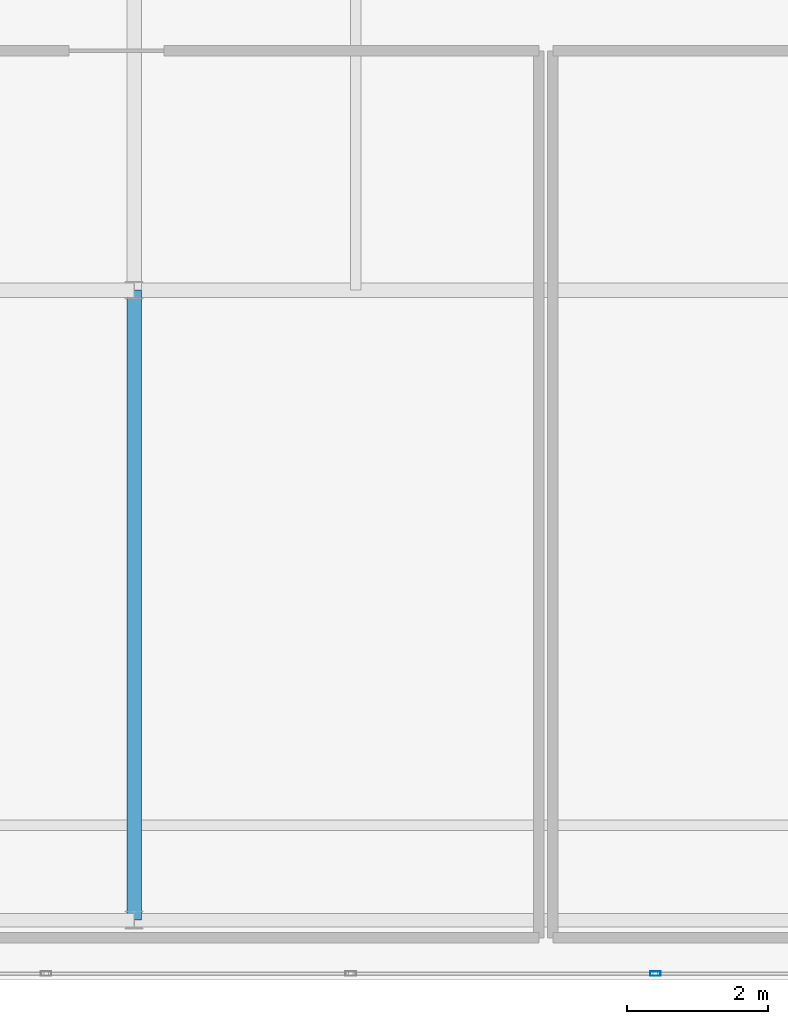
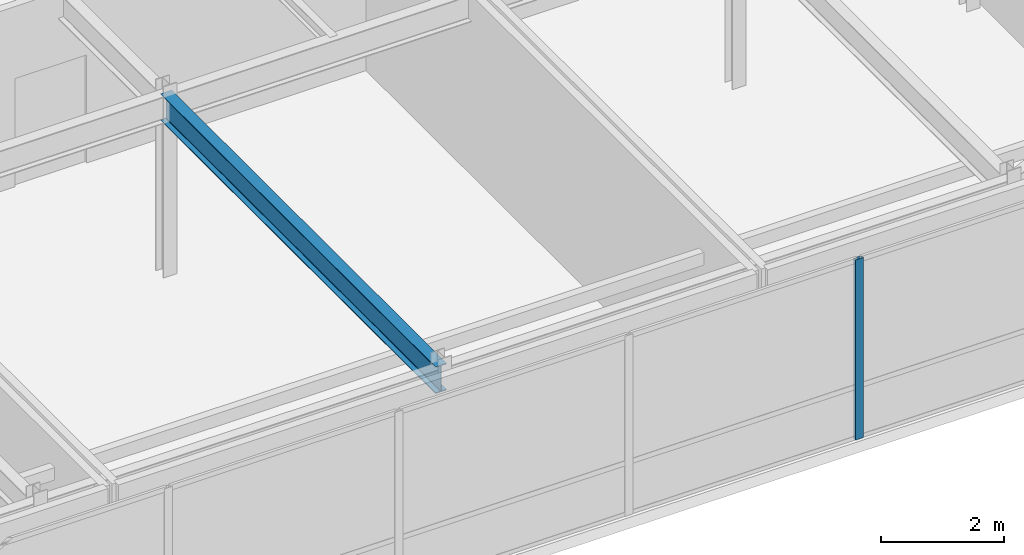
# One storey, part 13 of 36: 1 beam, 1 member, 1 element without a shape of its own.
"""IFC4 building model written with IfcOpenShell, lengths in metres."""

from ifc_helpers import new_model, si_unit, direction, frame, origin, origin_2d, place, context, subcontext, project, spatial, hollow_rectangle, i_section, extrude, source, transform, mapped, material, layer, layer_set, material_profile, profile_set, type_object, type_shapes, element, aggregate, save


model = new_model("IFC4")

# Units and contexts
model_context = context("Model", 3, precision=1e-05, world=origin(), true_north=direction((0.0, 1.0)))
body_context = subcontext(model_context, "Body", "Model", "MODEL_VIEW")
ifc_project = project(units=[si_unit("LENGTHUNIT", "METRE"), si_unit("AREAUNIT", "SQUARE_METRE"), si_unit("VOLUMEUNIT", "CUBIC_METRE"), si_unit("PLANEANGLEUNIT", "RADIAN"), si_unit("MASSUNIT", "GRAM", prefix="KILO")], contexts=[model_context])

# Site, building, storey
site_placement = place(None, origin())
site = spatial("IfcSite", under=ifc_project, at=site_placement, CompositionType="ELEMENT")
building_placement = place(site_placement, origin())
building = spatial("IfcBuilding", under=site, at=building_placement, Name="Tolvann Quenvar Hotel", CompositionType="ELEMENT")
storey_placement = place(building_placement, frame((0.0, 0.0, 306.14990234375)))
storey = spatial("IfcBuildingStorey", under=building, at=storey_placement, Name="L81", CompositionType="ELEMENT", Elevation=306.14990234375)

# Beam
ifc_material_1 = material(Name="Steel Grade 350", Category="steel")
ifc_material_profile_1 = material_profile(ifc_material_1, i_section(OverallWidth=0.208984375, OverallDepth=0.532958984375, WebThickness=0.01025390625, FlangeThickness=0.015625, FilletRadius=0.013916015625, at=origin_2d()), Name="530UB92")
ifc_profile_set_1 = profile_set([ifc_material_profile_1], Name="Steel Grade 350")
beam_type = type_object("IfcBeamType", Name="BM_GIRD_530UB92", PredefinedType="BEAM", material=ifc_profile_set_1)
shared_shape_1 = source(origin(), body_context, "Body", "SweptSolid", [
    extrude(i_section(OverallWidth=0.208984375, OverallDepth=0.532958984375, WebThickness=0.01025390625, FlangeThickness=0.015625, FilletRadius=0.013916015625, at=origin_2d()), origin(), (0.0, 0.0, 1.0), 8.949951171875),
])
type_shapes(beam_type, [shared_shape_1])
beam_placement = place(storey_placement, frame((22.050048828125, 7.050048828125, 3.3134765625), z_axis=(0.0, 1.0, 0.0), x_axis=(-1.0, 0.0, 0.0)))
element("IfcBeam", 1, at=beam_placement, inside=storey, type_object=beam_type, Name="BM-L81-NS-E2-E4", PredefinedType="BEAM", context=body_context, shape_type="MappedRepresentation", body=[
    mapped(shared_shape_1, transform((0.0, 0.0, 0.0), x_axis=(1.0, 0.0, 0.0), y_axis=(0.0, 1.0, 0.0), z_axis=(0.0, 0.0, 1.0), scale=1.0)),
])

# Curtain wall, member
ifc_material_2 = material(Name="Thermally broken anodised architectural aluminium 6063-T6 and laminated low-E glass", Category="aluminium")
ifc_layer = layer(ifc_material_2, 0.179931640625)
ifc_layer_set = layer_set([ifc_layer], Name="Thermally broken anodised architectural aluminium 6063-T6 and laminated low-E glass")
curtain_wall_type = type_object("IfcCurtainWallType", Name="CW_SYS_LANT_06", PredefinedType="USERDEFINED", material=ifc_layer_set)
curtain_wall_placement = place(storey_placement, origin())
curtain_wall = element("IfcCurtainWall", 2, at=curtain_wall_placement, inside=storey, type_object=curtain_wall_type, Name="Curtain Wall CW-LANT-06 (CWR-L81-E04)", ObjectType="UNITISED CURTAIN WALL", PredefinedType="USERDEFINED")
ifc_material_3 = material(Name="Anodised architectural aluminium 6063-T6 framing", Category="aluminium")
ifc_material_profile_2 = material_profile(ifc_material_3, hollow_rectangle(XDim=0.06494140625, YDim=0.14990234375, WallThickness=0.00390625, at=origin_2d()), Name="150x65x4RHS")
ifc_profile_set_2 = profile_set([ifc_material_profile_2], Name="Anodised architectural aluminium 6063-T6 framing")
member_type = type_object("IfcMemberType", Name="CW_MULL_150x65", PredefinedType="MULLION", material=ifc_profile_set_2)
shared_shape_2 = source(origin(), body_context, "Body", "SweptSolid", [
    extrude(hollow_rectangle(XDim=0.06494140625, YDim=0.14990234375, WallThickness=0.00390625, at=origin_2d()), origin(), (0.0, 0.0, 1.0), 3.580078125),
])
type_shapes(member_type, [shared_shape_2])
member_placement = place(storey_placement, frame((29.455078125, 6.2900390625, 0.0), z_axis=(0.0, 0.0, 1.0), x_axis=(0.0, 1.0, 0.0)))
member = element("IfcMember", 3, at=member_placement, type_object=member_type, Name="CW-LANT-06 mullion 6", PredefinedType="MULLION", context=body_context, shape_type="MappedRepresentation", body=[
    mapped(shared_shape_2, transform((0.0, 0.0, 0.0), x_axis=(1.0, 0.0, 0.0), y_axis=(0.0, 1.0, 0.0), z_axis=(0.0, 0.0, 1.0), scale=1.0)),
])
aggregate(curtain_wall, [member])

save(model, "model.ifc")
